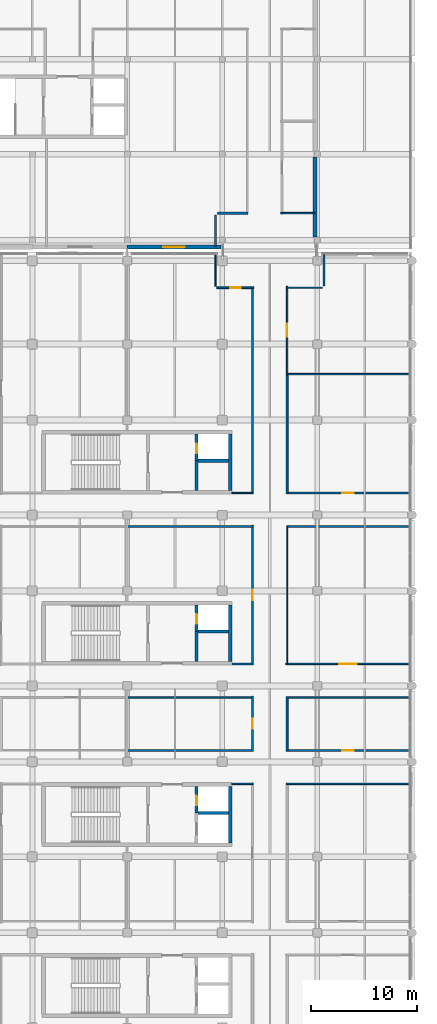
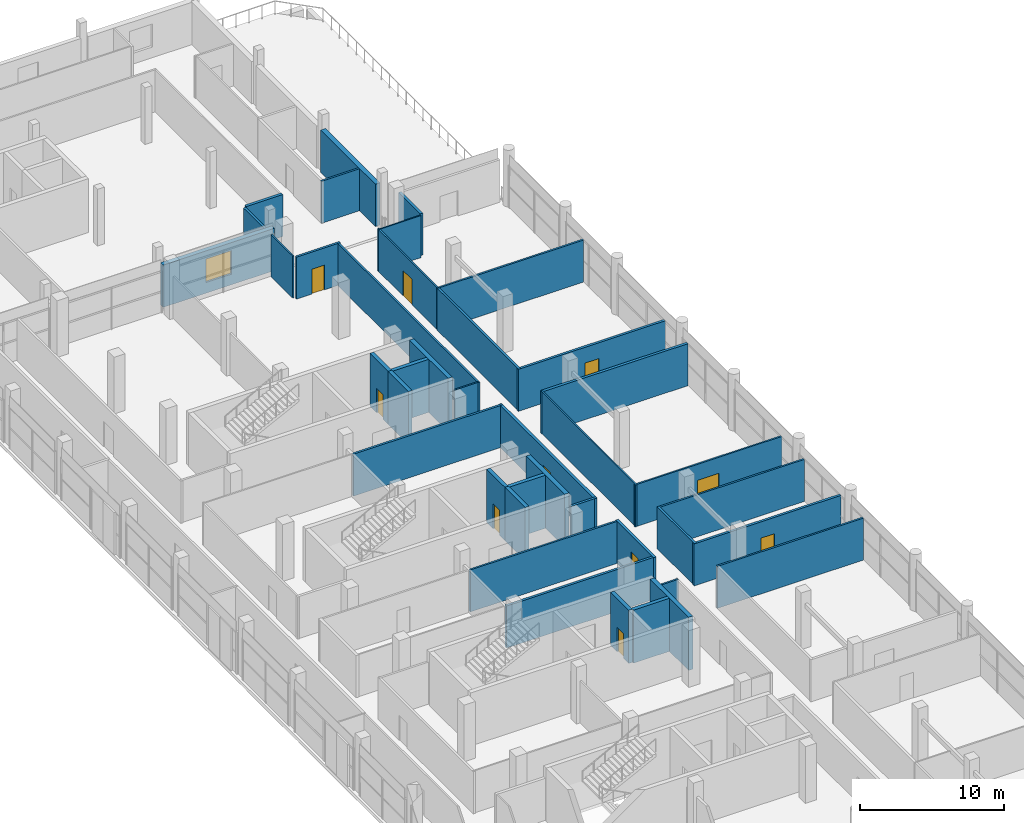
# One storey, part 80 of 111: 40 walls, 10 doors, 1 window, 11 openings.
"""IFC4 building model written with IfcOpenShell, lengths in metres."""

from ifc_helpers import new_model, si_unit, direction, frame, frame_2d, origin, place, context, subcontext, project, spatial, rectangle, extrude, material, layer, layer_set, type_object, element, fill, save


model = new_model("IFC4")

# Units and contexts
model_context = context("Model", 3, precision=1e-05, world=origin(), true_north=direction((0.0, 1.0)))
body_context = subcontext(model_context, "Body", "Model", "MODEL_VIEW")
ifc_project = project(units=[si_unit("LENGTHUNIT", "METRE"), si_unit("AREAUNIT", "SQUARE_METRE"), si_unit("VOLUMEUNIT", "CUBIC_METRE"), si_unit("PLANEANGLEUNIT", "RADIAN"), si_unit("MASSUNIT", "GRAM", prefix="KILO"), si_unit("THERMODYNAMICTEMPERATUREUNIT", "KELVIN"), si_unit("POWERUNIT", "WATT")], contexts=[model_context])

# Site, building, storey
site_placement = place(None, origin())
site = spatial("IfcSite", under=ifc_project, at=site_placement, CompositionType="ELEMENT")
building_placement = place(site_placement, origin())
building = spatial("IfcBuilding", under=site, at=building_placement, Name="Sindhuravela Promenade Stadium", CompositionType="ELEMENT")
storey_placement = place(building_placement, frame((0.0, 0.0, 9.60009765625)))
storey = spatial("IfcBuildingStorey", under=building, at=storey_placement, Name="L02", CompositionType="ELEMENT", Elevation=9.60009765625)

# Wall, opening, window
ifc_material_1 = material(Name="Terracotta clay brick masonry (15 MPa)", Category="masonry")
ifc_layer_1 = layer(ifc_material_1, 0.360107421875)
ifc_layer_set_1 = layer_set([ifc_layer_1], Name="Terracotta clay brick masonry (15 MPa)")
wall_type_1 = type_object("IfcWallType", Name="EX-WL-BRK360", PredefinedType="SOLIDWALL", material=ifc_layer_set_1)
wall_1_placement = place(storey_placement, frame((197.8798828125, 126.199951171875, 0.0), z_axis=(0.0, 0.0, 1.0), x_axis=(-1.0, 0.0, 0.0)))
wall_1 = element("IfcWall", 1, at=wall_1_placement, inside=storey, type_object=wall_type_1, Name="Exterior masonry wall EW05 Pavilion NE L02", PredefinedType="SOLIDWALL", context=body_context, shape_type="SweptSolid", body=[
    extrude(rectangle(XDim=8.919921875, YDim=0.360107421875, at=frame_2d((4.4599609375, 0.0))), origin(), (0.0, 0.0, 1.0), 3.579833984375),
])
opening_1_placement = place(wall_1_placement, frame((3.43505859375, 0.0, 0.89990234375)))
opening_1 = element("IfcOpeningElement", 2, at=opening_1_placement, cuts=wall_1, Name="Opening W29", PredefinedType="OPENING", context=body_context, shape_type="SweptSolid", body=[
    extrude(rectangle(XDim=2.050048828125, YDim=2.0, at=frame_2d((1.02490234375, 1.0))), frame((0.0, 0.18994140625, 0.0), z_axis=(0.0, -1.0, 0.0), x_axis=(1.0, 0.0, 0.0)), (0.0, 0.0, 1.0), 0.380126953125),
])
ifc_material_2 = material(Name="Tempered laminated low-E glass", Category="glass")
window_type = type_object("IfcWindowType", Name="WN-FAC-2050x2000", PartitioningType="DOUBLE_PANEL_VERTICAL", PredefinedType="WINDOW", material=ifc_material_2)
window_placement = place(opening_1_placement, origin())
window = element("IfcWindow", 3, at=window_placement, inside=storey, type_object=window_type, Name="Window W29 Pavilion NE L02", OverallHeight=2.0, OverallWidth=2.050048828125, PartitioningType="DOUBLE_PANEL_VERTICAL", PredefinedType="WINDOW", context=body_context, shape_type="SweptSolid", body=[
    extrude(rectangle(XDim=2.050048828125, YDim=2.0, at=frame_2d((1.02490234375, 1.0))), frame((0.0, 0.030029296875, 0.0), z_axis=(0.0, -1.0, 0.0), x_axis=(1.0, 0.0, 0.0)), (0.0, 0.0, 1.0), 0.06005859375),
])
fill(opening_1, window)

# Walls
ifc_layer_2 = layer(ifc_material_1, 0.3798828125)
ifc_layer_set_2 = layer_set([ifc_layer_2], Name="Terracotta clay brick masonry (15 MPa)")
wall_type_2 = type_object("IfcWallType", Name="EX-WL-BRK380", PredefinedType="SOLIDWALL", material=ifc_layer_set_2)
wall_2_placement = place(storey_placement, frame((206.800048828125, 134.719970703125, 0.0), z_axis=(0.0, 0.0, 1.0), x_axis=(0.0, -1.0, 0.0)))
element("IfcWall", 4, at=wall_2_placement, inside=storey, type_object=wall_type_2, Name="Exterior masonry wall EW04 Pavilion NE L02", PredefinedType="SOLIDWALL", context=body_context, shape_type="SweptSolid", body=[
    extrude(rectangle(XDim=7.590087890625, YDim=0.3798828125, at=frame_2d((3.794921875, 0.0))), origin(), (0.0, 0.0, 1.0), 3.579833984375),
])
ifc_material_3 = material(Name="Fire-rated gypsum partition board", Category="gypsum")
ifc_layer_3 = layer(ifc_material_3, 0.110107421875)
ifc_layer_set_3 = layer_set([ifc_layer_3], Name="Fire-rated gypsum partition board")
wall_type_3 = type_object("IfcWallType", Name="IN-WL-PAR110", PredefinedType="PARTITIONING", material=ifc_layer_set_3)
wall_3_placement = place(storey_placement, frame((197.360107421875, 125.51708984375, 0.0), z_axis=(0.0, 0.0, 1.0), x_axis=(0.0, -1.0, 0.0)))
element("IfcWall", 5, at=wall_3_placement, inside=storey, type_object=wall_type_3, Name="Interior partition IW06 EAST L02", PredefinedType="PARTITIONING", context=body_context, shape_type="SweptSolid", body=[
    extrude(rectangle(XDim=3.01708984375, YDim=0.110107421875, at=frame_2d((1.508544921875, 0.0))), origin(), (0.0, 0.0, 1.0), 3.559814453125),
])
wall_4_placement = place(storey_placement, frame((204.139892578125, 86.610107421875, 0.0), z_axis=(0.0, 0.0, 1.0), x_axis=(0.0, 1.0, 0.0)))
element("IfcWall", 6, at=wall_4_placement, inside=storey, type_object=wall_type_3, Name="Interior partition IW06 EAST L02", PredefinedType="PARTITIONING", context=body_context, shape_type="SweptSolid", body=[
    extrude(rectangle(XDim=13.179931640625, YDim=0.110107421875, at=frame_2d((6.58984375, 0.0))), origin(), (0.0, 0.0, 1.0), 3.559814453125),
])
wall_5_placement = place(storey_placement, frame((204.06005859375, 122.340087890625, 0.0), z_axis=(0.0, 0.0, 1.0), x_axis=(1.0, 0.0, 0.0)))
element("IfcWall", 7, at=wall_5_placement, inside=storey, type_object=wall_type_3, Name="Interior partition IW06 EAST L02", PredefinedType="PARTITIONING", context=body_context, shape_type="SweptSolid", body=[
    extrude(rectangle(XDim=3.419921875, YDim=0.110107421875, at=frame_2d((1.7099609375, 0.0))), origin(), (0.0, 0.0, 1.0), 3.559814453125),
])
ifc_layer_4 = layer(ifc_material_3, 0.1298828125)
ifc_layer_set_4 = layer_set([ifc_layer_4], Name="Fire-rated gypsum partition board")
wall_type_4 = type_object("IfcWallType", Name="IN-WL-PAR130", PredefinedType="PARTITIONING", material=ifc_layer_set_4)
wall_6_placement = place(storey_placement, frame((200.93994140625, 102.889892578125, 0.0), z_axis=(0.0, 0.0, 1.0), x_axis=(-1.0, 0.0, 0.0)))
element("IfcWall", 8, at=wall_6_placement, inside=storey, type_object=wall_type_4, Name="Interior partition IW05 EAST L02", PredefinedType="PARTITIONING", context=body_context, shape_type="SweptSolid", body=[
    extrude(rectangle(XDim=2.037841796875, YDim=0.1298828125, at=frame_2d((1.01904296875, 0.0))), origin(), (0.0, 0.0, 1.0), 3.559814453125),
])

# Wall, opening, door
wall_7_placement = place(storey_placement, frame((204.02001953125, 86.68994140625, 0.0), z_axis=(0.0, 0.0, 1.0), x_axis=(1.0, 0.0, 0.0)))
wall_7 = element("IfcWall", 9, at=wall_7_placement, inside=storey, type_object=wall_type_4, Name="Corridor partition IW05 Catering Pantry East L02", PredefinedType="PARTITIONING", context=body_context, shape_type="SweptSolid", body=[
    extrude(rectangle(XDim=11.780029296875, YDim=0.1298828125, at=frame_2d((5.89013671875, 0.0))), origin(), (0.0, 0.0, 1.0), 3.559814453125),
])
opening_2_placement = place(wall_7_placement, frame((5.0400390625, 0.0, 0.0)))
opening_2 = element("IfcOpeningElement", 10, at=opening_2_placement, cuts=wall_7, Name="Opening ID01", PredefinedType="OPENING", context=body_context, shape_type="SweptSolid", body=[
    extrude(rectangle(XDim=1.699951171875, YDim=2.199951171875, at=frame_2d((0.85009765625, 1.10009765625))), frame((0.0, 0.074951171875, 0.0), z_axis=(0.0, -1.0, 0.0), x_axis=(1.0, 0.0, 0.0)), (0.0, 0.0, 1.0), 0.14990234375),
])
ifc_material_4 = material(Name="Architectural teak timber leaf", Category="wood")
door_type_1 = type_object("IfcDoorType", Name="DR-INT-1700x2200", OperationType="DOUBLE_DOOR_SINGLE_SWING", PredefinedType="DOOR", material=ifc_material_4)
door_1_placement = place(opening_2_placement, origin())
door_1 = element("IfcDoor", 11, at=door_1_placement, inside=storey, type_object=door_type_1, Name="Catering Pantry East L02 door", OperationType="DOUBLE_DOOR_SINGLE_SWING", OverallHeight=2.199951171875, OverallWidth=1.699951171875, PredefinedType="DOOR", context=body_context, shape_type="SweptSolid", body=[
    extrude(rectangle(XDim=1.699951171875, YDim=2.199951171875, at=frame_2d((0.85009765625, 1.10009765625))), frame((0.0, 0.02490234375, 0.0), z_axis=(0.0, -1.0, 0.0), x_axis=(1.0, 0.0, 0.0)), (0.0, 0.0, 1.0), 0.050048828125),
])
fill(opening_2, door_1)

wall_8_placement = place(storey_placement, frame((204.139892578125, 122.4599609375, 0.0), z_axis=(0.0, 0.0, 1.0), x_axis=(0.0, -1.0, 0.0)))
wall_8 = element("IfcWall", 12, at=wall_8_placement, inside=storey, type_object=wall_type_4, Name="Corridor partition IW05 East Promenade Club Lounge 3", PredefinedType="PARTITIONING", context=body_context, shape_type="SweptSolid", body=[
    extrude(rectangle(XDim=8.300048828125, YDim=0.1298828125, at=frame_2d((4.14990234375, 0.0))), origin(), (0.0, 0.0, 1.0), 3.559814453125),
])
opening_3_placement = place(wall_8_placement, frame((3.52490234375, 0.0, 0.0)))
opening_3 = element("IfcOpeningElement", 13, at=opening_3_placement, cuts=wall_8, Name="Opening ID04", PredefinedType="OPENING", context=body_context, shape_type="SweptSolid", body=[
    extrude(rectangle(XDim=1.25, YDim=2.14990234375, at=frame_2d((0.625, 1.074951171875))), frame((0.0, 0.074951171875, 0.0), z_axis=(0.0, -1.0, 0.0), x_axis=(1.0, 0.0, 0.0)), (0.0, 0.0, 1.0), 0.14990234375),
])
door_type_2 = type_object("IfcDoorType", Name="DR-INT-1250x2150", OperationType="NOTDEFINED", PredefinedType="DOOR", material=ifc_material_4)
door_2_placement = place(opening_3_placement, origin())
door_2 = element("IfcDoor", 14, at=door_2_placement, inside=storey, type_object=door_type_2, Name="East Promenade Club Lounge 3 door", OperationType="SINGLE_SWING_RIGHT", OverallHeight=2.14990234375, OverallWidth=1.25, PredefinedType="DOOR", context=body_context, shape_type="SweptSolid", body=[
    extrude(rectangle(XDim=1.25, YDim=2.14990234375, at=frame_2d((0.625, 1.074951171875))), frame((0.0, 0.02490234375, 0.0), z_axis=(0.0, -1.0, 0.0), x_axis=(1.0, 0.0, 0.0)), (0.0, 0.0, 1.0), 0.050048828125),
])
fill(opening_3, door_2)

# Walls
wall_9_placement = place(storey_placement, frame((198.902099609375, 75.31005859375, 0.0), z_axis=(0.0, 0.0, 1.0), x_axis=(1.0, 0.0, 0.0)))
element("IfcWall", 15, at=wall_9_placement, inside=storey, type_object=wall_type_4, Name="Interior partition IW05 EAST L02", PredefinedType="PARTITIONING", context=body_context, shape_type="SweptSolid", body=[
    extrude(rectangle(XDim=2.037841796875, YDim=0.1298828125, at=frame_2d((1.01904296875, 0.0))), origin(), (0.0, 0.0, 1.0), 3.559814453125),
])
ifc_layer_5 = layer(ifc_material_3, 0.14990234375)
ifc_layer_set_5 = layer_set([ifc_layer_5], Name="Fire-rated gypsum partition board")
wall_type_5 = type_object("IfcWallType", Name="IN-WL-PAR150", PredefinedType="PARTITIONING", material=ifc_layer_set_5)
wall_10_placement = place(storey_placement, frame((200.860107421875, 122.419921875, 0.0), z_axis=(0.0, 0.0, 1.0), x_axis=(0.0, -1.0, 0.0)))
element("IfcWall", 16, at=wall_10_placement, inside=storey, type_object=wall_type_5, Name="Interior partition IW04 EAST L02", PredefinedType="PARTITIONING", context=body_context, shape_type="SweptSolid", body=[
    extrude(rectangle(XDim=19.60986328125, YDim=0.14990234375, at=frame_2d((9.804931640625, 0.0))), origin(), (0.0, 0.0, 1.0), 3.559814453125),
])
for number, where, z_axis, x_axis, name in (
    (17, (204.06005859375, 75.31005859375, 0.0), (0.0, 0.0, 1.0), (1.0, 0.0, 0.0), "Interior partition IW04 EAST L02"),
    (18, (204.06005859375, 114.159912109375, 0.0), (0.0, 0.0, 1.0), (1.0, 0.0, 0.0), "Interior partition IW04 EAST L02"),
):
    element("IfcWall", number, at=place(storey_placement, frame(where, z_axis=z_axis, x_axis=x_axis)), inside=storey, type_object=wall_type_5, Name=name, PredefinedType="PARTITIONING", context=body_context, shape_type="SweptSolid", body=[
        extrude(rectangle(XDim=11.70703125, YDim=0.14990234375, at=frame_2d((5.853515625, 0.0))), origin(), (0.0, 0.0, 1.0), 3.559814453125),
    ])
wall_11_placement = place(storey_placement, frame((188.989990234375, 83.510009765625, 0.0), z_axis=(0.0, 0.0, 1.0), x_axis=(1.0, 0.0, 0.0)))
element("IfcWall", 19, at=wall_11_placement, inside=storey, type_object=wall_type_5, Name="Interior partition IW04 EAST L02", PredefinedType="PARTITIONING", context=body_context, shape_type="SweptSolid", body=[
    extrude(rectangle(XDim=11.949951171875, YDim=0.14990234375, at=frame_2d((5.97509765625, 0.0))), origin(), (0.0, 0.0, 1.0), 3.559814453125),
])
wall_12_placement = place(storey_placement, frame((204.06005859375, 83.510009765625, 0.0), z_axis=(0.0, 0.0, 1.0), x_axis=(1.0, 0.0, 0.0)))
element("IfcWall", 20, at=wall_12_placement, inside=storey, type_object=wall_type_5, Name="Interior partition IW04 EAST L02", PredefinedType="PARTITIONING", context=body_context, shape_type="SweptSolid", body=[
    extrude(rectangle(XDim=11.70703125, YDim=0.14990234375, at=frame_2d((5.853515625, 0.0))), origin(), (0.0, 0.0, 1.0), 3.559814453125),
])
wall_13_placement = place(storey_placement, frame((206.760009765625, 129.409912109375, 0.0), z_axis=(0.0, 0.0, 1.0), x_axis=(-1.0, 0.0, 0.0)))
element("IfcWall", 21, at=wall_13_placement, inside=storey, type_object=wall_type_5, Name="Interior partition IW04 Pavilion NE L02", PredefinedType="PARTITIONING", context=body_context, shape_type="SweptSolid", body=[
    extrude(rectangle(XDim=3.199951171875, YDim=0.14990234375, at=frame_2d((1.60009765625, 0.0))), origin(), (0.0, 0.0, 1.0), 3.559814453125),
])

# Wall, opening, door
ifc_layer_6 = layer(ifc_material_3, 0.175048828125)
ifc_layer_set_6 = layer_set([ifc_layer_6], Name="Fire-rated gypsum partition board")
wall_type_6 = type_object("IfcWallType", Name="IN-WL-PAR175", PredefinedType="PARTITIONING", material=ifc_layer_set_6)
wall_14_placement = place(storey_placement, frame((200.97998046875, 122.340087890625, 0.0), z_axis=(0.0, 0.0, 1.0), x_axis=(-1.0, 0.0, 0.0)))
wall_14 = element("IfcWall", 22, at=wall_14_placement, inside=storey, type_object=wall_type_6, Name="Corridor partition IW03 Members Dining Salon East", PredefinedType="PARTITIONING", context=body_context, shape_type="SweptSolid", body=[
    extrude(rectangle(XDim=3.5, YDim=0.175048828125, at=frame_2d((1.75, 0.0))), origin(), (0.0, 0.0, 1.0), 3.559814453125),
])
opening_4_placement = place(wall_14_placement, frame((1.25, 0.0, 0.0)))
opening_4 = element("IfcOpeningElement", 23, at=opening_4_placement, cuts=wall_14, Name="Opening ID08", PredefinedType="OPENING", context=body_context, shape_type="SweptSolid", body=[
    extrude(rectangle(XDim=1.0, YDim=2.10009765625, at=frame_2d((0.5, 1.050048828125))), frame((0.0, 0.097412109375, 0.0), z_axis=(0.0, -1.0, 0.0), x_axis=(1.0, 0.0, 0.0)), (0.0, 0.0, 1.0), 0.195068359375),
])
door_type_3 = type_object("IfcDoorType", Name="DR-INT-1000x2100", OperationType="NOTDEFINED", PredefinedType="DOOR", material=ifc_material_4)
door_3_placement = place(opening_4_placement, origin())
door_3 = element("IfcDoor", 24, at=door_3_placement, inside=storey, type_object=door_type_3, Name="Members Dining Salon East door", OperationType="SINGLE_SWING_LEFT", OverallHeight=2.10009765625, OverallWidth=1.0, PredefinedType="DOOR", context=body_context, shape_type="SweptSolid", body=[
    extrude(rectangle(XDim=1.0, YDim=2.10009765625, at=frame_2d((0.5, 1.050048828125))), frame((0.0, 0.02490234375, 0.0), z_axis=(0.0, -1.0, 0.0), x_axis=(1.0, 0.0, 0.0)), (0.0, 0.0, 1.0), 0.050048828125),
])
fill(opening_4, door_3)

# Walls
wall_15_placement = place(storey_placement, frame((204.139892578125, 102.81005859375, 0.0), z_axis=(0.0, 0.0, 1.0), x_axis=(0.0, 1.0, 0.0)))
element("IfcWall", 25, at=wall_15_placement, inside=storey, type_object=wall_type_6, Name="Interior partition IW03 EAST L02", PredefinedType="PARTITIONING", context=body_context, shape_type="SweptSolid", body=[
    extrude(rectangle(XDim=11.31005859375, YDim=0.175048828125, at=frame_2d((5.655029296875, 0.0))), origin(), (0.0, 0.0, 1.0), 3.559814453125),
])
wall_16_placement = place(storey_placement, frame((188.989990234375, 99.7099609375, 0.0), z_axis=(0.0, 0.0, 1.0), x_axis=(1.0, 0.0, 0.0)))
element("IfcWall", 26, at=wall_16_placement, inside=storey, type_object=wall_type_6, Name="Interior partition IW03 EAST L02", PredefinedType="PARTITIONING", context=body_context, shape_type="SweptSolid", body=[
    extrude(rectangle(XDim=11.949951171875, YDim=0.175048828125, at=frame_2d((5.97509765625, 0.0))), origin(), (0.0, 0.0, 1.0), 3.559814453125),
])
wall_17_placement = place(storey_placement, frame((204.139892578125, 78.409912109375, 0.0), z_axis=(0.0, 0.0, 1.0), x_axis=(0.0, 1.0, 0.0)))
element("IfcWall", 27, at=wall_17_placement, inside=storey, type_object=wall_type_6, Name="Interior partition IW03 EAST L02", PredefinedType="PARTITIONING", context=body_context, shape_type="SweptSolid", body=[
    extrude(rectangle(XDim=5.18017578125, YDim=0.175048828125, at=frame_2d((2.590087890625, 0.0))), origin(), (0.0, 0.0, 1.0), 3.559814453125),
])

# Wall, opening, door
ifc_layer_7 = layer(ifc_material_3, 0.195068359375)
ifc_layer_set_7 = layer_set([ifc_layer_7], Name="Fire-rated gypsum partition board")
wall_type_7 = type_object("IfcWallType", Name="IN-WL-PAR195", PredefinedType="PARTITIONING", material=ifc_layer_set_7)
wall_18_placement = place(storey_placement, frame((204.02001953125, 102.889892578125, 0.0), z_axis=(0.0, 0.0, 1.0), x_axis=(1.0, 0.0, 0.0)))
wall_18 = element("IfcWall", 28, at=wall_18_placement, inside=storey, type_object=wall_type_7, Name="Corridor partition IW02 Sports Museum Trophy Gallery 2", PredefinedType="PARTITIONING", context=body_context, shape_type="SweptSolid", body=[
    extrude(rectangle(XDim=11.780029296875, YDim=0.195068359375, at=frame_2d((5.89013671875, 0.0))), origin(), (0.0, 0.0, 1.0), 3.559814453125),
])
opening_5_placement = place(wall_18_placement, frame((5.330078125, 0.0, 0.0)))
opening_5 = element("IfcOpeningElement", 29, at=opening_5_placement, cuts=wall_18, Name="Opening ID13", PredefinedType="OPENING", context=body_context, shape_type="SweptSolid", body=[
    extrude(rectangle(XDim=1.1201171875, YDim=2.219970703125, at=frame_2d((0.56005859375, 1.10986328125))), frame((0.0, 0.107421875, 0.0), z_axis=(0.0, -1.0, 0.0), x_axis=(1.0, 0.0, 0.0)), (0.0, 0.0, 1.0), 0.215087890625),
])
door_type_4 = type_object("IfcDoorType", Name="DR-INT-1120x2220", OperationType="NOTDEFINED", PredefinedType="DOOR", material=ifc_material_4)
door_4_placement = place(opening_5_placement, origin())
door_4 = element("IfcDoor", 30, at=door_4_placement, inside=storey, type_object=door_type_4, Name="Sports Museum Trophy Gallery 2 door", OperationType="SINGLE_SWING_LEFT", OverallHeight=2.219970703125, OverallWidth=1.1201171875, PredefinedType="DOOR", context=body_context, shape_type="SweptSolid", body=[
    extrude(rectangle(XDim=1.1201171875, YDim=2.219970703125, at=frame_2d((0.56005859375, 1.10986328125))), frame((0.0, 0.02490234375, 0.0), z_axis=(0.0, -1.0, 0.0), x_axis=(1.0, 0.0, 0.0)), (0.0, 0.0, 1.0), 0.050048828125),
])
fill(opening_5, door_4)

# Walls
wall_19_placement = place(storey_placement, frame((200.93994140625, 86.68994140625, 0.0), z_axis=(0.0, 0.0, 1.0), x_axis=(-1.0, 0.0, 0.0)))
element("IfcWall", 31, at=wall_19_placement, inside=storey, type_object=wall_type_7, Name="Interior partition IW02 EAST L02", PredefinedType="PARTITIONING", context=body_context, shape_type="SweptSolid", body=[
    extrude(rectangle(XDim=2.037841796875, YDim=0.195068359375, at=frame_2d((1.01904296875, 0.0))), origin(), (0.0, 0.0, 1.0), 3.559814453125),
])
wall_20_placement = place(storey_placement, frame((200.93994140625, 78.489990234375, 0.0), z_axis=(0.0, 0.0, 1.0), x_axis=(-1.0, 0.0, 0.0)))
element("IfcWall", 32, at=wall_20_placement, inside=storey, type_object=wall_type_7, Name="Interior partition IW02 EAST L02", PredefinedType="PARTITIONING", context=body_context, shape_type="SweptSolid", body=[
    extrude(rectangle(XDim=11.949951171875, YDim=0.195068359375, at=frame_2d((5.97509765625, 0.0))), origin(), (0.0, 0.0, 1.0), 3.559814453125),
])

# Wall, opening, door
wall_21_placement = place(storey_placement, frame((204.02001953125, 78.489990234375, 0.0), z_axis=(0.0, 0.0, 1.0), x_axis=(1.0, 0.0, 0.0)))
wall_21 = element("IfcWall", 33, at=wall_21_placement, inside=storey, type_object=wall_type_7, Name="Corridor partition IW02 Members Dining Salon East 11", PredefinedType="PARTITIONING", context=body_context, shape_type="SweptSolid", body=[
    extrude(rectangle(XDim=11.780029296875, YDim=0.195068359375, at=frame_2d((5.89013671875, 0.0))), origin(), (0.0, 0.0, 1.0), 3.559814453125),
])
opening_6_placement = place(wall_21_placement, frame((5.35009765625, 0.0, 0.0)))
opening_6 = element("IfcOpeningElement", 34, at=opening_6_placement, cuts=wall_21, Name="Opening ID12", PredefinedType="OPENING", context=body_context, shape_type="SweptSolid", body=[
    extrude(rectangle(XDim=1.080078125, YDim=2.179931640625, at=frame_2d((0.5400390625, 1.08984375))), frame((0.0, 0.107421875, 0.0), z_axis=(0.0, -1.0, 0.0), x_axis=(1.0, 0.0, 0.0)), (0.0, 0.0, 1.0), 0.215087890625),
])
door_type_5 = type_object("IfcDoorType", Name="DR-INT-1080x2180", OperationType="NOTDEFINED", PredefinedType="DOOR", material=ifc_material_4)
door_5_placement = place(opening_6_placement, origin())
door_5 = element("IfcDoor", 35, at=door_5_placement, inside=storey, type_object=door_type_5, Name="Members Dining Salon East 11 door", OperationType="SINGLE_SWING_RIGHT", OverallHeight=2.179931640625, OverallWidth=1.080078125, PredefinedType="DOOR", context=body_context, shape_type="SweptSolid", body=[
    extrude(rectangle(XDim=1.080078125, YDim=2.179931640625, at=frame_2d((0.5400390625, 1.08984375))), frame((0.0, 0.02490234375, 0.0), z_axis=(0.0, -1.0, 0.0), x_axis=(1.0, 0.0, 0.0)), (0.0, 0.0, 1.0), 0.050048828125),
])
fill(opening_6, door_5)

# Walls
wall_22_placement = place(storey_placement, frame((197.360107421875, 129.25, 0.0), z_axis=(0.0, 0.0, 1.0), x_axis=(0.0, -1.0, 0.0)))
element("IfcWall", 36, at=wall_22_placement, inside=storey, type_object=wall_type_7, Name="Interior partition IW02 Pavilion NE L02", PredefinedType="PARTITIONING", context=body_context, shape_type="SweptSolid", body=[
    extrude(rectangle(XDim=3.010009765625, YDim=0.195068359375, at=frame_2d((1.5048828125, 0.0))), origin(), (0.0, 0.0, 1.0), 3.559814453125),
])
ifc_layer_8 = layer(ifc_material_3, 0.219970703125)
ifc_layer_set_8 = layer_set([ifc_layer_8], Name="Fire-rated gypsum partition board")
wall_type_8 = type_object("IfcWallType", Name="IN-WL-PAR220", PredefinedType="PARTITIONING", material=ifc_layer_set_8)
wall_23_placement = place(storey_placement, frame((204.06005859375, 99.7099609375, 0.0), z_axis=(0.0, 0.0, 1.0), x_axis=(1.0, 0.0, 0.0)))
element("IfcWall", 37, at=wall_23_placement, inside=storey, type_object=wall_type_8, Name="Interior partition IW01 EAST L02", PredefinedType="PARTITIONING", context=body_context, shape_type="SweptSolid", body=[
    extrude(rectangle(XDim=11.70703125, YDim=0.219970703125, at=frame_2d((5.853515625, 0.0))), origin(), (0.0, 0.0, 1.0), 3.559814453125),
])
wall_24_placement = place(storey_placement, frame((207.639892578125, 122.5, 0.0), z_axis=(0.0, 0.0, 1.0), x_axis=(0.0, 1.0, 0.0)))
element("IfcWall", 38, at=wall_24_placement, inside=storey, type_object=wall_type_8, Name="Interior partition IW01 EAST L02", PredefinedType="PARTITIONING", context=body_context, shape_type="SweptSolid", body=[
    extrude(rectangle(XDim=3.010009765625, YDim=0.219970703125, at=frame_2d((1.5048828125, 0.0))), origin(), (0.0, 0.0, 1.0), 3.559814453125),
])

# Wall, opening, door
wall_25_placement = place(storey_placement, frame((200.860107421875, 86.570068359375, 0.0), z_axis=(0.0, 0.0, 1.0), x_axis=(0.0, 1.0, 0.0)))
wall_25 = element("IfcWall", 39, at=wall_25_placement, inside=storey, type_object=wall_type_8, Name="Corridor partition IW01 Accessible WC East L02 7", PredefinedType="PARTITIONING", context=body_context, shape_type="SweptSolid", body=[
    extrude(rectangle(XDim=13.260009765625, YDim=0.219970703125, at=frame_2d((6.6298828125, 0.0))), origin(), (0.0, 0.0, 1.0), 3.559814453125),
])
opening_7_placement = place(wall_25_placement, frame((6.1298828125, 0.0, 0.0)))
opening_7 = element("IfcOpeningElement", 40, at=opening_7_placement, cuts=wall_25, Name="Opening ID08", PredefinedType="OPENING", context=body_context, shape_type="SweptSolid", body=[
    extrude(rectangle(XDim=1.0, YDim=2.10009765625, at=frame_2d((0.5, 1.050048828125))), frame((0.0, 0.119873046875, 0.0), z_axis=(0.0, -1.0, 0.0), x_axis=(1.0, 0.0, 0.0)), (0.0, 0.0, 1.0), 0.239990234375),
])
door_6_placement = place(opening_7_placement, origin())
door_6 = element("IfcDoor", 41, at=door_6_placement, inside=storey, type_object=door_type_3, Name="Accessible WC East L02 7 door", OperationType="SINGLE_SWING_RIGHT", OverallHeight=2.10009765625, OverallWidth=1.0, PredefinedType="DOOR", context=body_context, shape_type="SweptSolid", body=[
    extrude(rectangle(XDim=1.0, YDim=2.10009765625, at=frame_2d((0.5, 1.050048828125))), frame((0.0, 0.02490234375, 0.0), z_axis=(0.0, -1.0, 0.0), x_axis=(1.0, 0.0, 0.0)), (0.0, 0.0, 1.0), 0.050048828125),
])
fill(opening_7, door_6)

wall_26_placement = place(storey_placement, frame((200.860107421875, 78.3701171875, 0.0), z_axis=(0.0, 0.0, 1.0), x_axis=(0.0, 1.0, 0.0)))
wall_26 = element("IfcWall", 42, at=wall_26_placement, inside=storey, type_object=wall_type_8, Name="Corridor partition IW01 Sports Museum Trophy Gallery 9", PredefinedType="PARTITIONING", context=body_context, shape_type="SweptSolid", body=[
    extrude(rectangle(XDim=5.259765625, YDim=0.219970703125, at=frame_2d((2.6298828125, 0.0))), origin(), (0.0, 0.0, 1.0), 3.559814453125),
])
opening_8_placement = place(wall_26_placement, frame((2.155029296875, 0.0, 0.0)))
opening_8 = element("IfcOpeningElement", 43, at=opening_8_placement, cuts=wall_26, Name="Opening ID10", PredefinedType="OPENING", context=body_context, shape_type="SweptSolid", body=[
    extrude(rectangle(XDim=0.949951171875, YDim=2.179931640625, at=frame_2d((0.47509765625, 1.08984375))), frame((0.0, 0.119873046875, 0.0), z_axis=(0.0, -1.0, 0.0), x_axis=(1.0, 0.0, 0.0)), (0.0, 0.0, 1.0), 0.239990234375),
])
door_type_6 = type_object("IfcDoorType", Name="DR-INT-950x2180", OperationType="NOTDEFINED", PredefinedType="DOOR", material=ifc_material_4)
door_7_placement = place(opening_8_placement, origin())
door_7 = element("IfcDoor", 44, at=door_7_placement, inside=storey, type_object=door_type_6, Name="Sports Museum Trophy Gallery 9 door", OperationType="SINGLE_SWING_RIGHT", OverallHeight=2.179931640625, OverallWidth=0.949951171875, PredefinedType="DOOR", context=body_context, shape_type="SweptSolid", body=[
    extrude(rectangle(XDim=0.949951171875, YDim=2.179931640625, at=frame_2d((0.47509765625, 1.08984375))), frame((0.0, 0.02490234375, 0.0), z_axis=(0.0, -1.0, 0.0), x_axis=(1.0, 0.0, 0.0)), (0.0, 0.0, 1.0), 0.050048828125),
])
fill(opening_8, door_7)

# Wall
wall_27_placement = place(storey_placement, frame((200.43994140625, 129.409912109375, 0.0), z_axis=(0.0, 0.0, 1.0), x_axis=(-1.0, 0.0, 0.0)))
element("IfcWall", 45, at=wall_27_placement, inside=storey, type_object=wall_type_8, Name="Interior partition IW01 Pavilion NE L02", PredefinedType="PARTITIONING", context=body_context, shape_type="SweptSolid", body=[
    extrude(rectangle(XDim=2.919921875, YDim=0.219970703125, at=frame_2d((1.4599609375, 0.0))), origin(), (0.0, 0.0, 1.0), 3.559814453125),
])

# Wall, opening, door
ifc_material_5 = material(Name="Concrete M50", Category="concrete")
ifc_layer_9 = layer(ifc_material_5, 0.300048828125)
ifc_layer_set_9 = layer_set([ifc_layer_9], Name="Concrete M50")
wall_type_9 = type_object("IfcWallType", Name="RC-SW-300", PredefinedType="SHEAR", material=ifc_layer_set_9)
wall_28_placement = place(storey_placement, frame((195.550048828125, 72.550048828125, 0.0), z_axis=(0.0, 0.0, 1.0), x_axis=(0.0, 1.0, 0.0)))
wall_28 = element("IfcWall", 46, at=wall_28_placement, inside=storey, type_object=wall_type_9, Name="Core shear wall C06-RSR (L02)", PredefinedType="SHEAR", context=body_context, shape_type="SweptSolid", body=[
    extrude(rectangle(XDim=2.52490234375, YDim=0.300048828125, at=frame_2d((1.262451171875, 0.0))), origin(), (0.0, 0.0, 1.0), 4.5),
])
opening_9_placement = place(wall_28_placement, frame((0.72509765625, 0.0, 0.0)))
opening_9 = element("IfcOpeningElement", 47, at=opening_9_placement, cuts=wall_28, Name="Opening FD03", PredefinedType="OPENING", context=body_context, shape_type="SweptSolid", body=[
    extrude(rectangle(XDim=0.89990234375, YDim=2.10009765625, at=frame_2d((0.449951171875, 1.050048828125))), frame((0.0, 0.159912109375, 0.0), z_axis=(0.0, -1.0, 0.0), x_axis=(1.0, 0.0, 0.0)), (0.0, 0.0, 1.0), 0.320068359375),
])
ifc_material_6 = material(Name="Architectural wrought steel E350", Category="steel")
door_type_7 = type_object("IfcDoorType", Name="DR-RSR-900x2100", OperationType="NOTDEFINED", PredefinedType="DOOR", material=ifc_material_6)
door_8_placement = place(opening_9_placement, origin())
door_8 = element("IfcDoor", 48, at=door_8_placement, inside=storey, type_object=door_type_7, Name="Riser shaft access door C06 (L02)", OperationType="SINGLE_SWING_LEFT", OverallHeight=2.10009765625, OverallWidth=0.89990234375, PredefinedType="DOOR", context=body_context, shape_type="SweptSolid", body=[
    extrude(rectangle(XDim=0.89990234375, YDim=2.10009765625, at=frame_2d((0.449951171875, 1.050048828125))), frame((0.0, 0.02490234375, 0.0), z_axis=(0.0, -1.0, 0.0), x_axis=(1.0, 0.0, 0.0)), (0.0, 0.0, 1.0), 0.050048828125),
])
fill(opening_9, door_8)

# Walls
wall_29_placement = place(storey_placement, frame((195.699951171875, 72.550048828125, 0.0), z_axis=(0.0, 0.0, 1.0), x_axis=(1.0, 0.0, 0.0)))
element("IfcWall", 49, at=wall_29_placement, inside=storey, type_object=wall_type_9, Name="Core shear wall C06-DIV (L02)", PredefinedType="SHEAR", context=body_context, shape_type="SweptSolid", body=[
    extrude(rectangle(XDim=2.875, YDim=0.300048828125, at=frame_2d((1.4375, 0.0))), origin(), (0.0, 0.0, 1.0), 4.5),
])
wall_30_placement = place(storey_placement, frame((195.550048828125, 86.925048828125, 0.0), z_axis=(0.0, 0.0, 1.0), x_axis=(0.0, 1.0, 0.0)))
element("IfcWall", 50, at=wall_30_placement, inside=storey, type_object=wall_type_9, Name="Core shear wall C07-LFT (L02)", PredefinedType="SHEAR", context=body_context, shape_type="SweptSolid", body=[
    extrude(rectangle(XDim=2.824951171875, YDim=0.300048828125, at=frame_2d((1.41259765625, 0.0))), origin(), (0.0, 0.0, 1.0), 4.5),
])

# Wall, opening, door
wall_31_placement = place(storey_placement, frame((195.550048828125, 89.75, 0.0), z_axis=(0.0, 0.0, 1.0), x_axis=(0.0, 1.0, 0.0)))
wall_31 = element("IfcWall", 51, at=wall_31_placement, inside=storey, type_object=wall_type_9, Name="Core shear wall C07-RSR (L02)", PredefinedType="SHEAR", context=body_context, shape_type="SweptSolid", body=[
    extrude(rectangle(XDim=2.52490234375, YDim=0.300048828125, at=frame_2d((1.262451171875, 0.0))), origin(), (0.0, 0.0, 1.0), 4.5),
])
opening_10_placement = place(wall_31_placement, frame((0.72509765625, 0.0, 0.0)))
opening_10 = element("IfcOpeningElement", 52, at=opening_10_placement, cuts=wall_31, Name="Opening FD03", PredefinedType="OPENING", context=body_context, shape_type="SweptSolid", body=[
    extrude(rectangle(XDim=0.89990234375, YDim=2.10009765625, at=frame_2d((0.449951171875, 1.050048828125))), frame((0.0, 0.159912109375, 0.0), z_axis=(0.0, -1.0, 0.0), x_axis=(1.0, 0.0, 0.0)), (0.0, 0.0, 1.0), 0.320068359375),
])
door_9_placement = place(opening_10_placement, origin())
door_9 = element("IfcDoor", 53, at=door_9_placement, inside=storey, type_object=door_type_7, Name="Riser shaft access door C07 (L02)", OperationType="SINGLE_SWING_LEFT", OverallHeight=2.10009765625, OverallWidth=0.89990234375, PredefinedType="DOOR", context=body_context, shape_type="SweptSolid", body=[
    extrude(rectangle(XDim=0.89990234375, YDim=2.10009765625, at=frame_2d((0.449951171875, 1.050048828125))), frame((0.0, 0.02490234375, 0.0), z_axis=(0.0, -1.0, 0.0), x_axis=(1.0, 0.0, 0.0)), (0.0, 0.0, 1.0), 0.050048828125),
])
fill(opening_10, door_9)

# Walls
wall_32_placement = place(storey_placement, frame((195.699951171875, 89.75, 0.0), z_axis=(0.0, 0.0, 1.0), x_axis=(1.0, 0.0, 0.0)))
element("IfcWall", 54, at=wall_32_placement, inside=storey, type_object=wall_type_9, Name="Core shear wall C07-DIV (L02)", PredefinedType="SHEAR", context=body_context, shape_type="SweptSolid", body=[
    extrude(rectangle(XDim=2.875, YDim=0.300048828125, at=frame_2d((1.4375, 0.0))), origin(), (0.0, 0.0, 1.0), 4.5),
])
wall_33_placement = place(storey_placement, frame((195.550048828125, 103.125, 0.0), z_axis=(0.0, 0.0, 1.0), x_axis=(0.0, 1.0, 0.0)))
element("IfcWall", 55, at=wall_33_placement, inside=storey, type_object=wall_type_9, Name="Core shear wall C08-LFT (L02)", PredefinedType="SHEAR", context=body_context, shape_type="SweptSolid", body=[
    extrude(rectangle(XDim=2.824951171875, YDim=0.300048828125, at=frame_2d((1.41259765625, 0.0))), origin(), (0.0, 0.0, 1.0), 4.5),
])

# Wall, opening, door
wall_34_placement = place(storey_placement, frame((195.550048828125, 105.949951171875, 0.0), z_axis=(0.0, 0.0, 1.0), x_axis=(0.0, 1.0, 0.0)))
wall_34 = element("IfcWall", 56, at=wall_34_placement, inside=storey, type_object=wall_type_9, Name="Core shear wall C08-RSR (L02)", PredefinedType="SHEAR", context=body_context, shape_type="SweptSolid", body=[
    extrude(rectangle(XDim=2.525146484375, YDim=0.300048828125, at=frame_2d((1.2626953125, 0.0))), origin(), (0.0, 0.0, 1.0), 4.5),
])
opening_11_placement = place(wall_34_placement, frame((0.72509765625, 0.0, 0.0)))
opening_11 = element("IfcOpeningElement", 57, at=opening_11_placement, cuts=wall_34, Name="Opening FD03", PredefinedType="OPENING", context=body_context, shape_type="SweptSolid", body=[
    extrude(rectangle(XDim=0.89990234375, YDim=2.10009765625, at=frame_2d((0.449951171875, 1.050048828125))), frame((0.0, 0.159912109375, 0.0), z_axis=(0.0, -1.0, 0.0), x_axis=(1.0, 0.0, 0.0)), (0.0, 0.0, 1.0), 0.320068359375),
])
door_10_placement = place(opening_11_placement, origin())
door_10 = element("IfcDoor", 58, at=door_10_placement, inside=storey, type_object=door_type_7, Name="Riser shaft access door C08 (L02)", OperationType="SINGLE_SWING_LEFT", OverallHeight=2.10009765625, OverallWidth=0.89990234375, PredefinedType="DOOR", context=body_context, shape_type="SweptSolid", body=[
    extrude(rectangle(XDim=0.89990234375, YDim=2.10009765625, at=frame_2d((0.449951171875, 1.050048828125))), frame((0.0, 0.02490234375, 0.0), z_axis=(0.0, -1.0, 0.0), x_axis=(1.0, 0.0, 0.0)), (0.0, 0.0, 1.0), 0.050048828125),
])
fill(opening_11, door_10)

# Walls
wall_35_placement = place(storey_placement, frame((195.699951171875, 105.949951171875, 0.0), z_axis=(0.0, 0.0, 1.0), x_axis=(1.0, 0.0, 0.0)))
element("IfcWall", 59, at=wall_35_placement, inside=storey, type_object=wall_type_9, Name="Core shear wall C08-DIV (L02)", PredefinedType="SHEAR", context=body_context, shape_type="SweptSolid", body=[
    extrude(rectangle(XDim=2.875, YDim=0.300048828125, at=frame_2d((1.4375, 0.0))), origin(), (0.0, 0.0, 1.0), 4.5),
])
ifc_layer_10 = layer(ifc_material_5, 0.35009765625)
ifc_layer_set_10 = layer_set([ifc_layer_10], Name="Concrete M50")
wall_type_10 = type_object("IfcWallType", Name="RC-SW-350", PredefinedType="SHEAR", material=ifc_layer_set_10)
for number, where, z_axis, x_axis, name in (
    (60, (198.75, 69.72509765625, 0.0), (0.0, 0.0, 1.0), (0.0, 1.0, 0.0), "Core shear wall C06-E (L02)"),
    (61, (198.75, 86.925048828125, 0.0), (0.0, 0.0, 1.0), (0.0, 1.0, 0.0), "Core shear wall C07-E (L02)"),
):
    element("IfcWall", number, at=place(storey_placement, frame(where, z_axis=z_axis, x_axis=x_axis)), inside=storey, type_object=wall_type_10, Name=name, PredefinedType="SHEAR", context=body_context, shape_type="SweptSolid", body=[
        extrude(rectangle(XDim=5.349853515625, YDim=0.35009765625, at=frame_2d((2.6748046875, 0.0))), origin(), (0.0, 0.0, 1.0), 4.5),
    ])
wall_36_placement = place(storey_placement, frame((198.75, 103.125, 0.0), z_axis=(0.0, 0.0, 1.0), x_axis=(0.0, 1.0, 0.0)))
element("IfcWall", 62, at=wall_36_placement, inside=storey, type_object=wall_type_10, Name="Core shear wall C08-E (L02)", PredefinedType="SHEAR", context=body_context, shape_type="SweptSolid", body=[
    extrude(rectangle(XDim=5.35009765625, YDim=0.35009765625, at=frame_2d((2.675048828125, 0.0))), origin(), (0.0, 0.0, 1.0), 4.5),
])

save(model, "model.ifc")
